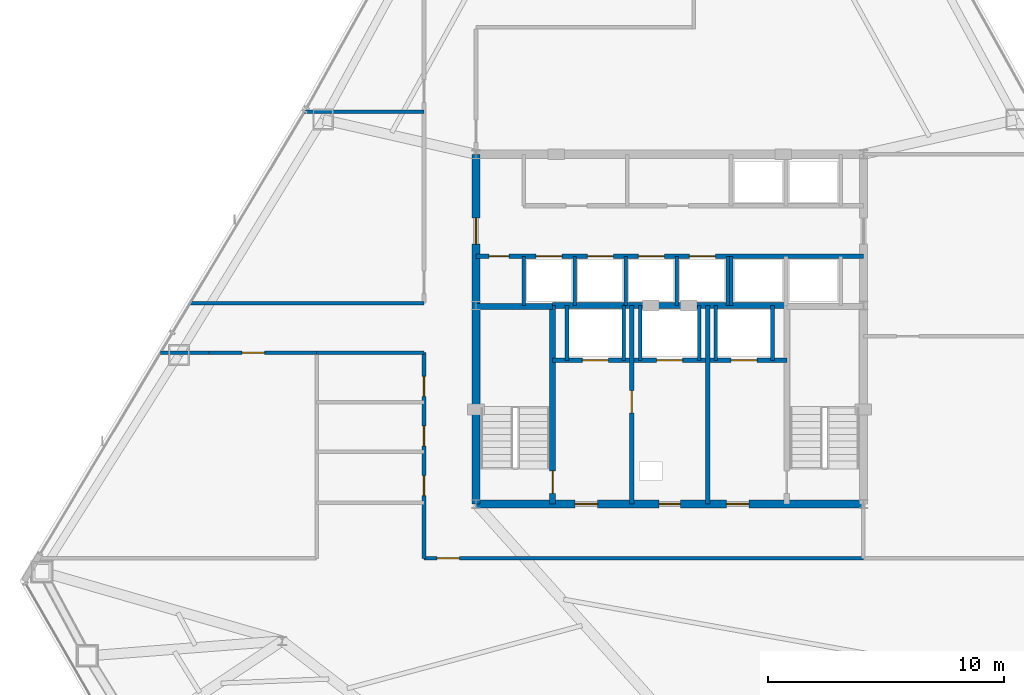
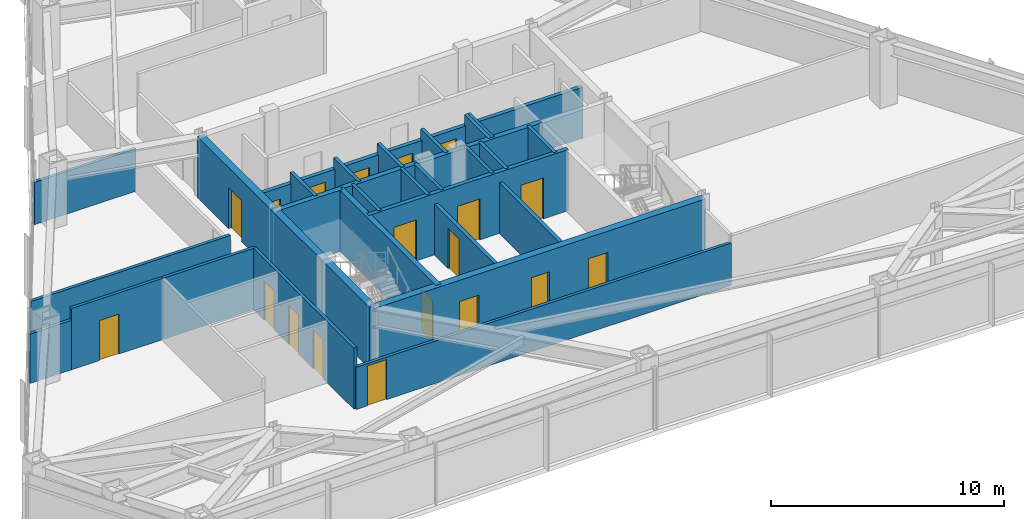
# One storey, part 10 of 13: 28 walls, 19 doors, 19 openings.
"""IFC4 building model written with IfcOpenShell, lengths in metres."""

import ifcopenshell
import ifcopenshell.guid

model = None  # the IFC model being written
_history = None  # IfcOwnerHistory: only IFC2X3 demands one
_inside = {}  # id of a spatial element -> (the spatial element, [elements in it])
_under = {}  # id of a project, library or spatial element -> (it, [spatial elements below it])
_declared = {}  # id of a project -> (the project, [libraries it declares])
_typed = {}  # id of a type object -> (the type object, [elements of that type])
_made_of = {}  # id of a material, layer set ... -> (it, [elements and type objects made of it])


def new_model(schema):
    """Start an empty IFC model of exactly this schema.

    Asked for "IFC4X3", IfcOpenShell would pick the latest addendum, in which some entities
    have other attributes; the version numbers below select the first issue.
    IFC2X3 requires an IfcOwnerHistory on every rooted entity: one is made here for all.
    """
    global model, _history
    if schema == "IFC4X3":
        model = ifcopenshell.file(schema_version=(4, 3, 0, 0))
    else:
        model = ifcopenshell.file(schema=schema)
    _inside.clear()
    _under.clear()
    _declared.clear()
    _typed.clear()
    _made_of.clear()
    _history = None
    if model.schema == "IFC2X3":
        org = make("IfcOrganization", Name="unknown")
        user = make(
            "IfcPersonAndOrganization",
            ThePerson=make("IfcPerson", FamilyName="unknown"),
            TheOrganization=org,
        )
        app = make(
            "IfcApplication",
            ApplicationDeveloper=org,
            Version="unknown",
            ApplicationFullName="unknown",
            ApplicationIdentifier="unknown",
        )
        _history = make(
            "IfcOwnerHistory",
            OwningUser=user,
            OwningApplication=app,
            ChangeAction="ADDED",
            CreationDate=0,
        )
    return model


def make(cls, **values):
    """One entity of the class cls with the attributes given. An attribute that is None is left unset."""
    return model.create_entity(
        cls, **{name: value for name, value in values.items() if value is not None}
    )


def rooted(cls, **values):
    """An entity with a GlobalId (a new one), such as an element, a storey or a relation."""
    return make(cls, GlobalId=ifcopenshell.guid.new(), OwnerHistory=_history, **values)


def si_unit(unit_type, name, prefix=None):
    """IfcSIUnit, for example si_unit("LENGTHUNIT", "METRE", prefix="MILLI")."""
    return make("IfcSIUnit", UnitType=unit_type, Prefix=prefix, Name=name)


def assignment(units):
    """IfcUnitAssignment: the units of a project."""
    return None if units is None else make("IfcUnitAssignment", Units=units)


def point(xyz):
    """IfcCartesianPoint."""
    return None if xyz is None else make("IfcCartesianPoint", Coordinates=xyz)


def direction(xyz):
    """IfcDirection."""
    return None if xyz is None else make("IfcDirection", DirectionRatios=xyz)


def frame(location, z_axis=None, x_axis=None):
    """IfcAxis2Placement3D, a coordinate frame: its origin and axes. An axis left out is left unset."""
    return make(
        "IfcAxis2Placement3D",
        Location=point(location),
        Axis=direction(z_axis),
        RefDirection=direction(x_axis),
    )


def frame_2d(location, x_axis=None):
    """IfcAxis2Placement2D, a coordinate frame in the plane: its origin and x axis."""
    return make(
        "IfcAxis2Placement2D", Location=point(location), RefDirection=direction(x_axis)
    )


def origin():
    """The frame at (0, 0, 0) with its axes left unset."""
    return frame((0.0, 0.0, 0.0))


def place(relative_to, where):
    """IfcLocalPlacement: puts the frame where relative to a parent placement (None: the world)."""
    return make(
        "IfcLocalPlacement", PlacementRelTo=relative_to, RelativePlacement=where
    )


def context(
    kind, dimensions, precision=None, world=None, true_north=None, identifier=None
):
    """IfcGeometricRepresentationContext, for example the 3D "Model" context."""
    return make(
        "IfcGeometricRepresentationContext",
        ContextIdentifier=identifier,
        ContextType=kind,
        CoordinateSpaceDimension=dimensions,
        Precision=precision,
        WorldCoordinateSystem=world,
        TrueNorth=true_north,
    )


def subcontext(parent, identifier, kind, view, scale=None):
    """IfcGeometricRepresentationSubContext, for example "Body" below "Model"."""
    return make(
        "IfcGeometricRepresentationSubContext",
        ContextIdentifier=identifier,
        ContextType=kind,
        ParentContext=parent,
        TargetScale=scale,
        TargetView=view,
    )


def project(units=None, contexts=None):
    """IfcProject with its units and contexts."""
    return rooted(
        "IfcProject",
        Name="project",
        RepresentationContexts=contexts,
        UnitsInContext=assignment(units),
    )


def spatial(cls, under=None, at=None, **own):
    """A site, building, storey or space (cls), placed at a placement, below another one or the project."""
    s = rooted(cls, ObjectPlacement=at, **own)
    if under is not None:
        _under.setdefault(under.id(), (under, []))[1].append(s)
    return s


def profile(cls, at=None, kind="AREA", **sizes):
    """A parametric profile (cls). Its sizes go by their IFC names, for example OverallWidth=200.0."""
    return make(cls, ProfileType=kind, Position=at, **sizes)


def rectangle(**sizes):
    """IfcRectangleProfileDef."""
    return profile("IfcRectangleProfileDef", **sizes)


def extrude(swept, where, along, depth):
    """IfcExtrudedAreaSolid: the profile swept, set in the frame where, extruded along a direction by depth."""
    return make(
        "IfcExtrudedAreaSolid",
        SweptArea=swept,
        Position=where,
        ExtrudedDirection=direction(along),
        Depth=depth,
    )


def shape(context_of_items, identifier, shape_type, items):
    """IfcShapeRepresentation: the items that make up one representation, for example the "Body"."""
    return make(
        "IfcShapeRepresentation",
        ContextOfItems=context_of_items,
        RepresentationIdentifier=identifier,
        RepresentationType=shape_type,
        Items=items,
    )


def material(Name=None, Category=None):
    """IfcMaterial."""
    return make("IfcMaterial", Name=Name, Category=Category)


def layer(
    of_material, thickness, ventilated=None, Name=None, Category=None, Priority=None
):
    """IfcMaterialLayer: one layer of a wall or slab, of a material (None: an air gap)."""
    return make(
        "IfcMaterialLayer",
        Material=of_material,
        LayerThickness=thickness,
        IsVentilated=ventilated,
        Name=Name,
        Category=Category,
        Priority=Priority,
    )


def layer_set(layers, Name=None):
    """IfcMaterialLayerSet."""
    return make("IfcMaterialLayerSet", MaterialLayers=layers, LayerSetName=Name)


def made_of(thing, what):
    """Note that an element or type object is made of a material, layer set ...; save() writes the relation."""
    if what is not None:
        _made_of.setdefault(what.id(), (what, []))[1].append(thing)
    return thing


def type_object(cls, material=None, **own):
    """A type object (cls), such as IfcWallType, which elements share."""
    return made_of(rooted(cls, **own), material)


def element(
    cls,
    number,
    at=None,
    inside=None,
    cuts=None,
    type_object=None,
    material=None,
    context=None,
    identifier="Body",
    shape_type=None,
    held_by="IfcProductDefinitionShape",
    body=None,
    shapes=None,
    **own,
):
    """One element of the class cls, such as IfcWall. Its Tag is "e" and its number.

    at: its placement. inside: the storey or other place that contains it. cuts: it is an
    opening in that element (IfcRelVoidsElement). A single representation is given by context,
    identifier, shape_type and body (its items); several are given by shapes. held_by: the class
    of the entity that holds the representations. save() writes the other relations.
    """
    e = rooted(cls, Tag="e%d" % number, ObjectPlacement=at, **own)
    if body is not None:
        shapes = [shape(context, identifier, shape_type, body)]
    if shapes is not None:
        e.Representation = make(held_by, Representations=shapes)
    if inside is not None:
        _inside.setdefault(inside.id(), (inside, []))[1].append(e)
    if cuts is not None:
        rooted(
            "IfcRelVoidsElement", RelatingBuildingElement=cuts, RelatedOpeningElement=e
        )
    if type_object is not None:
        _typed.setdefault(type_object.id(), (type_object, []))[1].append(e)
    return made_of(e, material)


def fill(opening, filler):
    """IfcRelFillsElement: the door or window that sits in an opening."""
    return rooted(
        "IfcRelFillsElement",
        RelatingOpeningElement=opening,
        RelatedBuildingElement=filler,
    )


def aggregate(whole, parts):
    """IfcRelAggregates: a whole, such as a stair, and the parts it consists of."""
    return rooted("IfcRelAggregates", RelatingObject=whole, RelatedObjects=parts)


def save(model, path):
    """Write the relations noted so far, then the file.

    IfcRelAggregates (storeys below a building ...), IfcRelContainedInSpatialStructure (elements
    in a storey), IfcRelDefinesByType, IfcRelAssociatesMaterial and IfcRelDeclares: one each for
    every whole, place, type object, material and project.
    """
    for whole, parts in _under.values():
        aggregate(whole, parts)
    for where, things in _inside.values():
        rooted(
            "IfcRelContainedInSpatialStructure",
            RelatedElements=things,
            RelatingStructure=where,
        )
    for kind, things in _typed.values():
        rooted("IfcRelDefinesByType", RelatedObjects=things, RelatingType=kind)
    for what, things in _made_of.values():
        rooted("IfcRelAssociatesMaterial", RelatedObjects=things, RelatingMaterial=what)
    for by, libraries in _declared.values():
        rooted("IfcRelDeclares", RelatingContext=by, RelatedDefinitions=libraries)
    model.write(path)


model = new_model("IFC4")

# Units and contexts
model_context = context("Model", 3, precision=1e-05, world=origin(), true_north=direction((0.0, 1.0)))
body_context = subcontext(model_context, "Body", "Model", "MODEL_VIEW")
ifc_project = project(units=[si_unit("LENGTHUNIT", "METRE"), si_unit("AREAUNIT", "SQUARE_METRE"), si_unit("VOLUMEUNIT", "CUBIC_METRE"), si_unit("PLANEANGLEUNIT", "RADIAN"), si_unit("MASSUNIT", "GRAM", prefix="KILO")], contexts=[model_context])

# Site, building, storey
site_placement = place(None, origin())
site = spatial("IfcSite", under=ifc_project, at=site_placement, CompositionType="ELEMENT")
building_placement = place(site_placement, origin())
building = spatial("IfcBuilding", under=site, at=building_placement, Name="Varakhsha Concourse Tower", CompositionType="ELEMENT")
storey_placement = place(building_placement, frame((0.0, 0.0, 147.050048828125)))
storey = spatial("IfcBuildingStorey", under=building, at=storey_placement, Name="L42", CompositionType="ELEMENT", Elevation=147.050048828125)

# Wall, openings, doors
ifc_material_1 = material(Name="Concrete fc 65 MPa", Category="concrete")
ifc_layer_1 = layer(ifc_material_1, 0.35009765625, Name="WL-CORE-350")
ifc_layer_set_1 = layer_set([ifc_layer_1], Name="Concrete fc 65 MPa")
wall_type_1 = type_object("IfcWallType", Name="WL-CORE-350", PredefinedType="SHEAR", material=ifc_layer_set_1)
wall_1_placement = place(storey_placement, frame((31.800048828125, 16.39990234375, 0.0), z_axis=(0.0, 0.0, 1.0), x_axis=(1.0, 0.0, 0.0)))
wall_1 = element("IfcWall", 1, at=wall_1_placement, inside=storey, type_object=wall_type_1, Name="L42 Wall CWALL-S-L42", PredefinedType="SHEAR", context=body_context, shape_type="SweptSolid", body=[
    extrude(rectangle(XDim=16.39990234375, YDim=0.35009765625, at=frame_2d((8.199951171875, 0.0))), origin(), (0.0, 0.0, 1.0), 3.2099609375),
])
opening_1_placement = place(wall_1_placement, frame((7.75, 0.0, 0.0)))
opening_1 = element("IfcOpeningElement", 2, at=opening_1_placement, cuts=wall_1, Name="Opening DF-06", PredefinedType="OPENING", context=body_context, shape_type="SweptSolid", body=[
    extrude(rectangle(XDim=0.89990234375, YDim=2.10009765625, at=frame_2d((0.449951171875, 1.050048828125))), frame((0.0, 0.18505859375, 0.0), z_axis=(0.0, -1.0, 0.0), x_axis=(1.0, 0.0, 0.0)), (0.0, 0.0, 1.0), 0.3701171875),
])
opening_2_placement = place(wall_1_placement, frame((4.199951171875, 0.0, 0.0)))
opening_2 = element("IfcOpeningElement", 3, at=opening_2_placement, cuts=wall_1, Name="Opening DF-05", PredefinedType="OPENING", context=body_context, shape_type="SweptSolid", body=[
    extrude(rectangle(XDim=0.949951171875, YDim=2.10009765625, at=frame_2d((0.47509765625, 1.050048828125))), frame((0.0, 0.18505859375, 0.0), z_axis=(0.0, -1.0, 0.0), x_axis=(1.0, 0.0, 0.0)), (0.0, 0.0, 1.0), 0.3701171875),
])
opening_3_placement = place(wall_1_placement, frame((10.60009765625, 0.0, 0.0)))
opening_3 = element("IfcOpeningElement", 4, at=opening_3_placement, cuts=wall_1, Name="Opening DF-05", PredefinedType="OPENING", context=body_context, shape_type="SweptSolid", body=[
    extrude(rectangle(XDim=0.949951171875, YDim=2.10009765625, at=frame_2d((0.47509765625, 1.050048828125))), frame((0.0, 0.18505859375, 0.0), z_axis=(0.0, -1.0, 0.0), x_axis=(1.0, 0.0, 0.0)), (0.0, 0.0, 1.0), 0.3701171875),
])
ifc_material_2 = material(Name="Hollow Galvanised Steel Fire Door Assembly", Category="steel")
door_type_1 = type_object("IfcDoorType", Name="DR-FD60-900", OperationType="NOTDEFINED", PredefinedType="DOOR", material=ifc_material_2)
door_1_placement = place(opening_1_placement, origin())
door_1 = element("IfcDoor", 5, at=door_1_placement, inside=storey, type_object=door_type_1, Name="L42 Service Riser Vestibule Door", OperationType="SINGLE_SWING_LEFT", OverallHeight=2.10009765625, OverallWidth=0.89990234375, PredefinedType="DOOR", context=body_context, shape_type="SweptSolid", body=[
    extrude(rectangle(XDim=0.89990234375, YDim=2.10009765625, at=frame_2d((0.449951171875, 1.050048828125))), frame((0.0, 0.02490234375, 0.0), z_axis=(0.0, -1.0, 0.0), x_axis=(1.0, 0.0, 0.0)), (0.0, 0.0, 1.0), 0.050048828125),
])
fill(opening_1, door_1)
door_type_2 = type_object("IfcDoorType", Name="DR-FD60-950", OperationType="NOTDEFINED", PredefinedType="DOOR", material=ifc_material_2)
door_2_placement = place(opening_2_placement, origin())
door_2 = element("IfcDoor", 6, at=door_2_placement, inside=storey, type_object=door_type_2, Name="L42 Firefighting Lobby West Door", OperationType="SINGLE_SWING_RIGHT", OverallHeight=2.10009765625, OverallWidth=0.949951171875, PredefinedType="DOOR", context=body_context, shape_type="SweptSolid", body=[
    extrude(rectangle(XDim=0.949951171875, YDim=2.10009765625, at=frame_2d((0.47509765625, 1.050048828125))), frame((0.0, 0.02490234375, 0.0), z_axis=(0.0, -1.0, 0.0), x_axis=(1.0, 0.0, 0.0)), (0.0, 0.0, 1.0), 0.050048828125),
])
fill(opening_2, door_2)
door_3_placement = place(opening_3_placement, origin())
door_3 = element("IfcDoor", 7, at=door_3_placement, inside=storey, type_object=door_type_2, Name="L42 Firefighting Lobby East Door", OperationType="SINGLE_SWING_LEFT", OverallHeight=2.10009765625, OverallWidth=0.949951171875, PredefinedType="DOOR", context=body_context, shape_type="SweptSolid", body=[
    extrude(rectangle(XDim=0.949951171875, YDim=2.10009765625, at=frame_2d((0.47509765625, 1.050048828125))), frame((0.0, 0.02490234375, 0.0), z_axis=(0.0, -1.0, 0.0), x_axis=(1.0, 0.0, 0.0)), (0.0, 0.0, 1.0), 0.050048828125),
])
fill(opening_3, door_3)

# Wall, opening, door
wall_2_placement = place(storey_placement, frame((31.800048828125, 16.39990234375, 0.0), z_axis=(0.0, 0.0, 1.0), x_axis=(0.0, 1.0, 0.0)))
wall_2 = element("IfcWall", 8, at=wall_2_placement, inside=storey, type_object=wall_type_1, Name="L42 Wall CWALL-W-L42", PredefinedType="SHEAR", context=body_context, shape_type="SweptSolid", body=[
    extrude(rectangle(XDim=14.800048828125, YDim=0.35009765625, at=frame_2d((7.39990234375, 0.0))), origin(), (0.0, 0.0, 1.0), 3.2099609375),
])
opening_4_placement = place(wall_2_placement, frame((11.0, 0.0, 0.0)))
opening_4 = element("IfcOpeningElement", 9, at=opening_4_placement, cuts=wall_2, Name="Opening DL-01", PredefinedType="OPENING", context=body_context, shape_type="SweptSolid", body=[
    extrude(rectangle(XDim=1.10009765625, YDim=2.14990234375, at=frame_2d((0.550048828125, 1.074951171875))), frame((0.0, 0.18505859375, 0.0), z_axis=(0.0, -1.0, 0.0), x_axis=(1.0, 0.0, 0.0)), (0.0, 0.0, 1.0), 0.3701171875),
])
ifc_material_3 = material(Name="Anodised Bronze Architectural Aluminium AA 6063-T6", Category="aluminium")
door_type_3 = type_object("IfcDoorType", Name="DR-LOB-1100", OperationType="NOTDEFINED", PredefinedType="DOOR", material=ifc_material_3)
door_4_placement = place(opening_4_placement, origin())
door_4 = element("IfcDoor", 10, at=door_4_placement, inside=storey, type_object=door_type_3, Name="L42 Lift Lobby West Concourse Door", OperationType="SINGLE_SWING_LEFT", OverallHeight=2.14990234375, OverallWidth=1.10009765625, PredefinedType="DOOR", context=body_context, shape_type="SweptSolid", body=[
    extrude(rectangle(XDim=1.10009765625, YDim=2.14990234375, at=frame_2d((0.550048828125, 1.074951171875))), frame((0.0, 0.02490234375, 0.0), z_axis=(0.0, -1.0, 0.0), x_axis=(1.0, 0.0, 0.0)), (0.0, 0.0, 1.0), 0.050048828125),
])
fill(opening_4, door_4)

ifc_material_4 = material(Name="Fire-Rated Type X Gypsum Partition Assembly", Category="gypsum")
ifc_layer_2 = layer(ifc_material_4, 0.179931640625, Name="WL-FFLOB-180")
ifc_layer_set_2 = layer_set([ifc_layer_2], Name="Fire-Rated Type X Gypsum Partition Assembly")
wall_type_2 = type_object("IfcWallType", Name="WL-FFLOB-180", PredefinedType="PARTITIONING", material=ifc_layer_set_2)
wall_3_placement = place(storey_placement, frame((38.389892578125, 16.39990234375, 0.0), z_axis=(0.0, 0.0, 1.0), x_axis=(0.0, 1.0, 0.0)))
wall_3 = element("IfcWall", 11, at=wall_3_placement, inside=storey, type_object=wall_type_2, Name="L42 Wall FFW-1E-L42", PredefinedType="PARTITIONING", context=body_context, shape_type="SweptSolid", body=[
    extrude(rectangle(XDim=8.400146484375, YDim=0.179931640625, at=frame_2d((4.2001953125, 0.0))), origin(), (0.0, 0.0, 1.0), 2.660888671875),
])
opening_5_placement = place(wall_3_placement, frame((3.85009765625, 0.0, 0.0)))
opening_5 = element("IfcOpeningElement", 12, at=opening_5_placement, cuts=wall_3, Name="Opening DF-05", PredefinedType="OPENING", context=body_context, shape_type="SweptSolid", body=[
    extrude(rectangle(XDim=0.949951171875, YDim=2.10009765625, at=frame_2d((0.47509765625, 1.050048828125))), frame((0.0, 0.099853515625, 0.0), z_axis=(0.0, -1.0, 0.0), x_axis=(1.0, 0.0, 0.0)), (0.0, 0.0, 1.0), 0.199951171875),
])
door_5_placement = place(opening_5_placement, origin())
door_5 = element("IfcDoor", 13, at=door_5_placement, inside=storey, type_object=door_type_2, Name="L42 Service Vestibule Door", OperationType="SINGLE_SWING_RIGHT", OverallHeight=2.10009765625, OverallWidth=0.949951171875, PredefinedType="DOOR", context=body_context, shape_type="SweptSolid", body=[
    extrude(rectangle(XDim=0.949951171875, YDim=2.10009765625, at=frame_2d((0.47509765625, 1.050048828125))), frame((0.0, 0.02490234375, 0.0), z_axis=(0.0, -1.0, 0.0), x_axis=(1.0, 0.0, 0.0)), (0.0, 0.0, 1.0), 0.050048828125),
])
fill(opening_5, door_5)

# Wall
wall_4_placement = place(storey_placement, frame((41.610107421875, 16.39990234375, 0.0), z_axis=(0.0, 0.0, 1.0), x_axis=(0.0, 1.0, 0.0)))
element("IfcWall", 14, at=wall_4_placement, inside=storey, type_object=wall_type_2, Name="L42 Wall FFW-2W-L42", PredefinedType="PARTITIONING", context=body_context, shape_type="SweptSolid", body=[
    extrude(rectangle(XDim=8.400146484375, YDim=0.179931640625, at=frame_2d((4.2001953125, 0.0))), origin(), (0.0, 0.0, 1.0), 2.660888671875),
])

# Wall, opening, door
ifc_layer_3 = layer(ifc_material_4, 0.14990234375, Name="WL-PART-150")
ifc_layer_set_3 = layer_set([ifc_layer_3], Name="Fire-Rated Type X Gypsum Partition Assembly")
wall_type_3 = type_object("IfcWallType", Name="WL-PART-150", PredefinedType="PARTITIONING", material=ifc_layer_set_3)
wall_5_placement = place(storey_placement, frame((29.60009765625, 14.10009765625, 0.0), z_axis=(0.0, 0.0, 1.0), x_axis=(1.0, 0.0, 0.0)))
wall_5 = element("IfcWall", 15, at=wall_5_placement, inside=storey, type_object=wall_type_3, Name="L42 Wall CRW-S-L42", PredefinedType="PARTITIONING", context=body_context, shape_type="SweptSolid", body=[
    extrude(rectangle(XDim=18.599853515625, YDim=0.14990234375, at=frame_2d((9.2998046875, 0.0))), origin(), (0.0, 0.0, 1.0), 2.224853515625),
])
opening_6_placement = place(wall_5_placement, frame((0.550048828125, 0.0, 0.0)))
opening_6 = element("IfcOpeningElement", 16, at=opening_6_placement, cuts=wall_5, Name="Opening DF-05", PredefinedType="OPENING", context=body_context, shape_type="SweptSolid", body=[
    extrude(rectangle(XDim=0.949951171875, YDim=2.10009765625, at=frame_2d((0.47509765625, 1.050048828125))), frame((0.0, 0.0849609375, 0.0), z_axis=(0.0, -1.0, 0.0), x_axis=(1.0, 0.0, 0.0)), (0.0, 0.0, 1.0), 0.169921875),
])
door_6_placement = place(opening_6_placement, origin())
door_6 = element("IfcDoor", 17, at=door_6_placement, inside=storey, type_object=door_type_2, Name="L42 Portfolio Risk Office L42-S1 Door", OperationType="SINGLE_SWING_LEFT", OverallHeight=2.10009765625, OverallWidth=0.949951171875, PredefinedType="DOOR", context=body_context, shape_type="SweptSolid", body=[
    extrude(rectangle(XDim=0.949951171875, YDim=2.10009765625, at=frame_2d((0.47509765625, 1.050048828125))), frame((0.0, 0.02490234375, 0.0), z_axis=(0.0, -1.0, 0.0), x_axis=(1.0, 0.0, 0.0)), (0.0, 0.0, 1.0), 0.050048828125),
])
fill(opening_6, door_6)

# Wall, openings, doors
wall_6_placement = place(storey_placement, frame((29.60009765625, 14.10009765625, 0.0), z_axis=(0.0, 0.0, 1.0), x_axis=(0.0, 1.0, 0.0)))
wall_6 = element("IfcWall", 18, at=wall_6_placement, inside=storey, type_object=wall_type_3, Name="L42 Wall CRW-WS-L42", PredefinedType="PARTITIONING", context=body_context, shape_type="SweptSolid", body=[
    extrude(rectangle(XDim=8.699951171875, YDim=0.14990234375, at=frame_2d((4.35009765625, 0.0))), origin(), (0.0, 0.0, 1.0), 3.2099609375),
])
opening_7_placement = place(wall_6_placement, frame((2.64990234375, 0.0, 0.0)))
opening_7 = element("IfcOpeningElement", 19, at=opening_7_placement, cuts=wall_6, Name="Opening DF-07", PredefinedType="OPENING", context=body_context, shape_type="SweptSolid", body=[
    extrude(rectangle(XDim=0.85009765625, YDim=2.050048828125, at=frame_2d((0.425048828125, 1.02490234375))), frame((0.0, 0.0849609375, 0.0), z_axis=(0.0, -1.0, 0.0), x_axis=(1.0, 0.0, 0.0)), (0.0, 0.0, 1.0), 0.169921875),
])
opening_8_placement = place(wall_6_placement, frame((4.75, 0.0, 0.0)))
opening_8 = element("IfcOpeningElement", 20, at=opening_8_placement, cuts=wall_6, Name="Opening DF-07", PredefinedType="OPENING", context=body_context, shape_type="SweptSolid", body=[
    extrude(rectangle(XDim=0.85009765625, YDim=2.050048828125, at=frame_2d((0.425048828125, 1.02490234375))), frame((0.0, 0.0849609375, 0.0), z_axis=(0.0, -1.0, 0.0), x_axis=(1.0, 0.0, 0.0)), (0.0, 0.0, 1.0), 0.169921875),
])
opening_9_placement = place(wall_6_placement, frame((6.85009765625, 0.0, 0.0)))
opening_9 = element("IfcOpeningElement", 21, at=opening_9_placement, cuts=wall_6, Name="Opening DF-07", PredefinedType="OPENING", context=body_context, shape_type="SweptSolid", body=[
    extrude(rectangle(XDim=0.85009765625, YDim=2.050048828125, at=frame_2d((0.425048828125, 1.02490234375))), frame((0.0, 0.0849609375, 0.0), z_axis=(0.0, -1.0, 0.0), x_axis=(1.0, 0.0, 0.0)), (0.0, 0.0, 1.0), 0.169921875),
])
door_type_4 = type_object("IfcDoorType", Name="DR-FD60-850", OperationType="NOTDEFINED", PredefinedType="DOOR", material=ifc_material_2)
door_7_placement = place(opening_7_placement, origin())
door_7 = element("IfcDoor", 22, at=door_7_placement, inside=storey, type_object=door_type_4, Name="L42 Men Restroom WC Door", OperationType="SINGLE_SWING_LEFT", OverallHeight=2.050048828125, OverallWidth=0.85009765625, PredefinedType="DOOR", context=body_context, shape_type="SweptSolid", body=[
    extrude(rectangle(XDim=0.85009765625, YDim=2.050048828125, at=frame_2d((0.425048828125, 1.02490234375))), frame((0.0, 0.02490234375, 0.0), z_axis=(0.0, -1.0, 0.0), x_axis=(1.0, 0.0, 0.0)), (0.0, 0.0, 1.0), 0.050048828125),
])
fill(opening_7, door_7)
door_8_placement = place(opening_8_placement, origin())
door_8 = element("IfcDoor", 23, at=door_8_placement, inside=storey, type_object=door_type_4, Name="L42 Women Restroom WC Door", OperationType="SINGLE_SWING_LEFT", OverallHeight=2.050048828125, OverallWidth=0.85009765625, PredefinedType="DOOR", context=body_context, shape_type="SweptSolid", body=[
    extrude(rectangle(XDim=0.85009765625, YDim=2.050048828125, at=frame_2d((0.425048828125, 1.02490234375))), frame((0.0, 0.02490234375, 0.0), z_axis=(0.0, -1.0, 0.0), x_axis=(1.0, 0.0, 0.0)), (0.0, 0.0, 1.0), 0.050048828125),
])
fill(opening_8, door_8)
door_9_placement = place(opening_9_placement, origin())
door_9 = element("IfcDoor", 24, at=door_9_placement, inside=storey, type_object=door_type_4, Name="L42 Accessible WC Door", OperationType="SINGLE_SWING_LEFT", OverallHeight=2.050048828125, OverallWidth=0.85009765625, PredefinedType="DOOR", context=body_context, shape_type="SweptSolid", body=[
    extrude(rectangle(XDim=0.85009765625, YDim=2.050048828125, at=frame_2d((0.425048828125, 1.02490234375))), frame((0.0, 0.02490234375, 0.0), z_axis=(0.0, -1.0, 0.0), x_axis=(1.0, 0.0, 0.0)), (0.0, 0.0, 1.0), 0.050048828125),
])
fill(opening_9, door_9)

# Walls
wall_7_placement = place(storey_placement, frame((18.448486328125, 22.800048828125, 0.0), z_axis=(0.0, 0.0, 1.0), x_axis=(1.0, 0.0, 0.0)))
element("IfcWall", 25, at=wall_7_placement, inside=storey, type_object=wall_type_3, Name="L42 Wall CRW-WWS-W-L42", PredefinedType="PARTITIONING", context=body_context, shape_type="SweptSolid", body=[
    extrude(rectangle(XDim=2.051513671875, YDim=0.14990234375, at=frame_2d((1.02587890625, 0.0))), origin(), (0.0, 0.0, 1.0), 2.5888671875),
])
wall_8_placement = place(storey_placement, frame((25.050048828125, 22.800048828125, 0.0), z_axis=(0.0, 0.0, 1.0), x_axis=(1.0, 0.0, 0.0)))
element("IfcWall", 26, at=wall_8_placement, inside=storey, type_object=wall_type_3, Name="L42 Wall CRW-WWS-E-L42", PredefinedType="PARTITIONING", context=body_context, shape_type="SweptSolid", body=[
    extrude(rectangle(XDim=4.550048828125, YDim=0.14990234375, at=frame_2d((2.27490234375, 0.0))), origin(), (0.0, 0.0, 1.0), 3.2099609375),
])
wall_9_placement = place(storey_placement, frame((19.703369140625, 24.89990234375, 0.0), z_axis=(0.0, 0.0, 1.0), x_axis=(1.0, 0.0, 0.0)))
element("IfcWall", 27, at=wall_9_placement, inside=storey, type_object=wall_type_3, Name="L42 Wall CRW-WWN-L42", PredefinedType="PARTITIONING", context=body_context, shape_type="SweptSolid", body=[
    extrude(rectangle(XDim=9.896728515625, YDim=0.14990234375, at=frame_2d((4.9482421875, 0.0))), origin(), (0.0, 0.0, 1.0), 2.5888671875),
])

# Wall, opening, door
wall_10_placement = place(storey_placement, frame((20.5, 22.800048828125, 0.0), z_axis=(0.0, 0.0, 1.0), x_axis=(1.0, 0.0, 0.0)))
wall_10 = element("IfcWall", 28, at=wall_10_placement, inside=storey, type_object=wall_type_3, Name="L42 Wall CRW-WWS-DOOR-L42", PredefinedType="PARTITIONING", context=body_context, shape_type="SweptSolid", body=[
    extrude(rectangle(XDim=4.550048828125, YDim=0.14990234375, at=frame_2d((2.27490234375, 0.0))), origin(), (0.0, 0.0, 1.0), 3.2099609375),
])
opening_10_placement = place(wall_10_placement, frame((1.39990234375, 0.0, 0.0)))
opening_10 = element("IfcOpeningElement", 29, at=opening_10_placement, cuts=wall_10, Name="Opening DF-05", PredefinedType="OPENING", context=body_context, shape_type="SweptSolid", body=[
    extrude(rectangle(XDim=0.949951171875, YDim=2.10009765625, at=frame_2d((0.47509765625, 1.050048828125))), frame((0.0, 0.0849609375, 0.0), z_axis=(0.0, -1.0, 0.0), x_axis=(1.0, 0.0, 0.0)), (0.0, 0.0, 1.0), 0.169921875),
])
door_10_placement = place(opening_10_placement, origin())
door_10 = element("IfcDoor", 30, at=door_10_placement, inside=storey, type_object=door_type_2, Name="L42 Institutional Client Office L42-SW Door", OperationType="SINGLE_SWING_LEFT", OverallHeight=2.10009765625, OverallWidth=0.949951171875, PredefinedType="DOOR", context=body_context, shape_type="SweptSolid", body=[
    extrude(rectangle(XDim=0.949951171875, YDim=2.10009765625, at=frame_2d((0.47509765625, 1.050048828125))), frame((0.0, 0.02490234375, 0.0), z_axis=(0.0, -1.0, 0.0), x_axis=(1.0, 0.0, 0.0)), (0.0, 0.0, 1.0), 0.050048828125),
])
fill(opening_10, door_10)

# Wall
wall_11_placement = place(storey_placement, frame((24.544189453125, 33.0, 0.0), z_axis=(0.0, 0.0, 1.0), x_axis=(1.0, 0.0, 0.0)))
element("IfcWall", 31, at=wall_11_placement, inside=storey, type_object=wall_type_3, Name="L42 Wall ODIV-W1-L42", PredefinedType="PARTITIONING", context=body_context, shape_type="SweptSolid", body=[
    extrude(rectangle(XDim=5.055908203125, YDim=0.14990234375, at=frame_2d((2.52783203125, 0.0))), origin(), (0.0, 0.0, 1.0), 2.224853515625),
])

# Wall, openings, doors
ifc_layer_4 = layer(ifc_material_4, 0.199951171875, Name="WL-SHAFT-220")
ifc_layer_set_4 = layer_set([ifc_layer_4], Name="Fire-Rated Type X Gypsum Partition Assembly")
wall_type_4 = type_object("IfcWallType", Name="WL-SHAFT-220", PredefinedType="SOLIDWALL", material=ifc_layer_set_4)
wall_12_placement = place(storey_placement, frame((35.044921875, 22.47998046875, 0.0), z_axis=(0.0, 0.0, 1.0), x_axis=(1.0, 0.0, 0.0)))
wall_12 = element("IfcWall", 32, at=wall_12_placement, inside=storey, type_object=wall_type_4, Name="L42 Wall FFW-NH-L42", PredefinedType="SOLIDWALL", context=body_context, shape_type="SweptSolid", body=[
    extrude(rectangle(XDim=9.91015625, YDim=0.199951171875, at=frame_2d((4.955078125, 0.0))), origin(), (0.0, 0.0, 1.0), 3.2099609375),
])
opening_11_placement = place(wall_12_placement, frame((1.2548828125, 0.0, 0.0)))
opening_11 = element("IfcOpeningElement", 33, at=opening_11_placement, cuts=wall_12, Name="Opening LD-FFL-1", PredefinedType="OPENING", context=body_context, shape_type="SweptSolid", body=[
    extrude(rectangle(XDim=1.10009765625, YDim=2.14990234375, at=frame_2d((0.550048828125, 1.074951171875))), frame((0.0, 0.10986328125, 0.0), z_axis=(0.0, -1.0, 0.0), x_axis=(1.0, 0.0, 0.0)), (0.0, 0.0, 1.0), 0.219970703125),
])
opening_12_placement = place(wall_12_placement, frame((7.554931640625, 0.0, 0.0)))
opening_12 = element("IfcOpeningElement", 34, at=opening_12_placement, cuts=wall_12, Name="Opening LD-FFL-2", PredefinedType="OPENING", context=body_context, shape_type="SweptSolid", body=[
    extrude(rectangle(XDim=1.10009765625, YDim=2.14990234375, at=frame_2d((0.550048828125, 1.074951171875))), frame((0.0, 0.10986328125, 0.0), z_axis=(0.0, -1.0, 0.0), x_axis=(1.0, 0.0, 0.0)), (0.0, 0.0, 1.0), 0.219970703125),
])
opening_13_placement = place(wall_12_placement, frame((4.405029296875, 0.0, 0.0)))
opening_13 = element("IfcOpeningElement", 35, at=opening_13_placement, cuts=wall_12, Name="Opening LD-SVL-1", PredefinedType="OPENING", context=body_context, shape_type="SweptSolid", body=[
    extrude(rectangle(XDim=1.10009765625, YDim=2.14990234375, at=frame_2d((0.550048828125, 1.074951171875))), frame((0.0, 0.10986328125, 0.0), z_axis=(0.0, -1.0, 0.0), x_axis=(1.0, 0.0, 0.0)), (0.0, 0.0, 1.0), 0.219970703125),
])
ifc_material_5 = material(Name="Brushed Austenitic Stainless Steel AISI 316", Category="steel")
door_type_5 = type_object("IfcDoorType", Name="DR-LD-1100", OperationType="DOUBLE_DOOR_SLIDING", PredefinedType="DOOR", material=ifc_material_5)
door_11_placement = place(opening_11_placement, origin())
door_11 = element("IfcDoor", 36, at=door_11_placement, inside=storey, type_object=door_type_5, Name="Lift Landing Door FFL-1 L42", OperationType="DOUBLE_DOOR_SLIDING", OverallHeight=2.14990234375, OverallWidth=1.10009765625, PredefinedType="DOOR", context=body_context, shape_type="SweptSolid", body=[
    extrude(rectangle(XDim=1.10009765625, YDim=2.14990234375, at=frame_2d((0.550048828125, 1.074951171875))), frame((0.0, 0.02490234375, 0.0), z_axis=(0.0, -1.0, 0.0), x_axis=(1.0, 0.0, 0.0)), (0.0, 0.0, 1.0), 0.050048828125),
])
fill(opening_11, door_11)
door_12_placement = place(opening_12_placement, origin())
door_12 = element("IfcDoor", 37, at=door_12_placement, inside=storey, type_object=door_type_5, Name="Lift Landing Door FFL-2 L42", OperationType="DOUBLE_DOOR_SLIDING", OverallHeight=2.14990234375, OverallWidth=1.10009765625, PredefinedType="DOOR", context=body_context, shape_type="SweptSolid", body=[
    extrude(rectangle(XDim=1.10009765625, YDim=2.14990234375, at=frame_2d((0.550048828125, 1.074951171875))), frame((0.0, 0.02490234375, 0.0), z_axis=(0.0, -1.0, 0.0), x_axis=(1.0, 0.0, 0.0)), (0.0, 0.0, 1.0), 0.050048828125),
])
fill(opening_12, door_12)
door_13_placement = place(opening_13_placement, origin())
door_13 = element("IfcDoor", 38, at=door_13_placement, inside=storey, type_object=door_type_5, Name="Lift Landing Door SVL-1 L42", OperationType="DOUBLE_DOOR_SLIDING", OverallHeight=2.14990234375, OverallWidth=1.10009765625, PredefinedType="DOOR", context=body_context, shape_type="SweptSolid", body=[
    extrude(rectangle(XDim=1.10009765625, YDim=2.14990234375, at=frame_2d((0.550048828125, 1.074951171875))), frame((0.0, 0.02490234375, 0.0), z_axis=(0.0, -1.0, 0.0), x_axis=(1.0, 0.0, 0.0)), (0.0, 0.0, 1.0), 0.050048828125),
])
fill(opening_13, door_13)

# Walls
for number, where, z_axis, x_axis, name in (
    (39, (35.64990234375, 22.47998046875, 0.0), (0.0, 0.0, 1.0), (0.0, 1.0, 0.0), "L42 Wall SHW-FFL-1-W-L42"),
    (40, (38.050048828125, 22.47998046875, 0.0), (0.0, 0.0, 1.0), (0.0, 1.0, 0.0), "L42 Wall SHW-FFL-1-E-L42"),
    (41, (41.949951171875, 22.47998046875, 0.0), (0.0, 0.0, 1.0), (0.0, 1.0, 0.0), "L42 Wall SHW-FFL-2-W-L42"),
    (42, (44.35009765625, 22.47998046875, 0.0), (0.0, 0.0, 1.0), (0.0, 1.0, 0.0), "L42 Wall SHW-FFL-2-E-L42"),
    (43, (38.75, 22.47998046875, 0.0), (0.0, 0.0, 1.0), (0.0, 1.0, 0.0), "L42 Wall SHW-SVL-1-W-L42"),
    (44, (41.25, 22.47998046875, 0.0), (0.0, 0.0, 1.0), (0.0, 1.0, 0.0), "L42 Wall SHW-SVL-1-E-L42"),
):
    element("IfcWall", number, at=place(storey_placement, frame(where, z_axis=z_axis, x_axis=x_axis)), inside=storey, type_object=wall_type_4, Name=name, PredefinedType="SOLIDWALL", context=body_context, shape_type="SweptSolid", body=[
        extrude(rectangle(XDim=2.320068359375, YDim=0.159912109375, at=frame_2d((1.16015625, 0.0))), origin(), (0.0, 0.0, 1.0), 3.2099609375),
    ])

# Wall, openings, doors
wall_13_placement = place(storey_placement, frame((31.800048828125, 26.8798828125, 0.0), z_axis=(0.0, 0.0, 1.0), x_axis=(1.0, 0.0, 0.0)))
wall_13 = element("IfcWall", 45, at=wall_13_placement, inside=storey, type_object=wall_type_4, Name="L42 Wall PLW-S-L42", PredefinedType="SOLIDWALL", context=body_context, shape_type="SweptSolid", body=[
    extrude(rectangle(XDim=16.39990234375, YDim=0.199951171875, at=frame_2d((8.199951171875, 0.0))), origin(), (0.0, 0.0, 1.0), 2.660888671875),
])
opening_14_placement = place(wall_13_placement, frame((0.550048828125, 0.0, 0.0)))
opening_14 = element("IfcOpeningElement", 46, at=opening_14_placement, cuts=wall_13, Name="Opening DF-07", PredefinedType="OPENING", context=body_context, shape_type="SweptSolid", body=[
    extrude(rectangle(XDim=0.85009765625, YDim=2.050048828125, at=frame_2d((0.425048828125, 1.02490234375))), frame((0.0, 0.10986328125, 0.0), z_axis=(0.0, -1.0, 0.0), x_axis=(1.0, 0.0, 0.0)), (0.0, 0.0, 1.0), 0.219970703125),
])
opening_15_placement = place(wall_13_placement, frame((2.550048828125, 0.0, 0.0)))
opening_15 = element("IfcOpeningElement", 47, at=opening_15_placement, cuts=wall_13, Name="Opening LD-LF-P05", PredefinedType="OPENING", context=body_context, shape_type="SweptSolid", body=[
    extrude(rectangle(XDim=1.10009765625, YDim=2.14990234375, at=frame_2d((0.550048828125, 1.074951171875))), frame((0.0, 0.10986328125, 0.0), z_axis=(0.0, -1.0, 0.0), x_axis=(1.0, 0.0, 0.0)), (0.0, 0.0, 1.0), 0.219970703125),
])
opening_16_placement = place(wall_13_placement, frame((4.7099609375, 0.0, 0.0)))
opening_16 = element("IfcOpeningElement", 48, at=opening_16_placement, cuts=wall_13, Name="Opening LD-LF-P06", PredefinedType="OPENING", context=body_context, shape_type="SweptSolid", body=[
    extrude(rectangle(XDim=1.10009765625, YDim=2.14990234375, at=frame_2d((0.550048828125, 1.074951171875))), frame((0.0, 0.10986328125, 0.0), z_axis=(0.0, -1.0, 0.0), x_axis=(1.0, 0.0, 0.0)), (0.0, 0.0, 1.0), 0.219970703125),
])
opening_17_placement = place(wall_13_placement, frame((6.8701171875, 0.0, 0.0)))
opening_17 = element("IfcOpeningElement", 49, at=opening_17_placement, cuts=wall_13, Name="Opening LD-LF-P07", PredefinedType="OPENING", context=body_context, shape_type="SweptSolid", body=[
    extrude(rectangle(XDim=1.10009765625, YDim=2.14990234375, at=frame_2d((0.550048828125, 1.074951171875))), frame((0.0, 0.10986328125, 0.0), z_axis=(0.0, -1.0, 0.0), x_axis=(1.0, 0.0, 0.0)), (0.0, 0.0, 1.0), 0.219970703125),
])
opening_18_placement = place(wall_13_placement, frame((9.030029296875, 0.0, 0.0)))
opening_18 = element("IfcOpeningElement", 50, at=opening_18_placement, cuts=wall_13, Name="Opening LD-LF-P08", PredefinedType="OPENING", context=body_context, shape_type="SweptSolid", body=[
    extrude(rectangle(XDim=1.10009765625, YDim=2.14990234375, at=frame_2d((0.550048828125, 1.074951171875))), frame((0.0, 0.10986328125, 0.0), z_axis=(0.0, -1.0, 0.0), x_axis=(1.0, 0.0, 0.0)), (0.0, 0.0, 1.0), 0.219970703125),
])
door_14_placement = place(opening_14_placement, origin())
door_14 = element("IfcDoor", 51, at=door_14_placement, inside=storey, type_object=door_type_4, Name="L42 Core Telecoms Closet Door", OperationType="SINGLE_SWING_RIGHT", OverallHeight=2.050048828125, OverallWidth=0.85009765625, PredefinedType="DOOR", context=body_context, shape_type="SweptSolid", body=[
    extrude(rectangle(XDim=0.85009765625, YDim=2.050048828125, at=frame_2d((0.425048828125, 1.02490234375))), frame((0.0, 0.02490234375, 0.0), z_axis=(0.0, -1.0, 0.0), x_axis=(1.0, 0.0, 0.0)), (0.0, 0.0, 1.0), 0.050048828125),
])
fill(opening_14, door_14)
door_15_placement = place(opening_15_placement, origin())
door_15 = element("IfcDoor", 52, at=door_15_placement, inside=storey, type_object=door_type_5, Name="Lift Landing Door LF-P05 L42", OperationType="DOUBLE_DOOR_SLIDING", OverallHeight=2.14990234375, OverallWidth=1.10009765625, PredefinedType="DOOR", context=body_context, shape_type="SweptSolid", body=[
    extrude(rectangle(XDim=1.10009765625, YDim=2.14990234375, at=frame_2d((0.550048828125, 1.074951171875))), frame((0.0, 0.02490234375, 0.0), z_axis=(0.0, -1.0, 0.0), x_axis=(1.0, 0.0, 0.0)), (0.0, 0.0, 1.0), 0.050048828125),
])
fill(opening_15, door_15)
door_16_placement = place(opening_16_placement, origin())
door_16 = element("IfcDoor", 53, at=door_16_placement, inside=storey, type_object=door_type_5, Name="Lift Landing Door LF-P06 L42", OperationType="DOUBLE_DOOR_SLIDING", OverallHeight=2.14990234375, OverallWidth=1.10009765625, PredefinedType="DOOR", context=body_context, shape_type="SweptSolid", body=[
    extrude(rectangle(XDim=1.10009765625, YDim=2.14990234375, at=frame_2d((0.550048828125, 1.074951171875))), frame((0.0, 0.02490234375, 0.0), z_axis=(0.0, -1.0, 0.0), x_axis=(1.0, 0.0, 0.0)), (0.0, 0.0, 1.0), 0.050048828125),
])
fill(opening_16, door_16)
door_17_placement = place(opening_17_placement, origin())
door_17 = element("IfcDoor", 54, at=door_17_placement, inside=storey, type_object=door_type_5, Name="Lift Landing Door LF-P07 L42", OperationType="DOUBLE_DOOR_SLIDING", OverallHeight=2.14990234375, OverallWidth=1.10009765625, PredefinedType="DOOR", context=body_context, shape_type="SweptSolid", body=[
    extrude(rectangle(XDim=1.10009765625, YDim=2.14990234375, at=frame_2d((0.550048828125, 1.074951171875))), frame((0.0, 0.02490234375, 0.0), z_axis=(0.0, -1.0, 0.0), x_axis=(1.0, 0.0, 0.0)), (0.0, 0.0, 1.0), 0.050048828125),
])
fill(opening_17, door_17)
door_18_placement = place(opening_18_placement, origin())
door_18 = element("IfcDoor", 55, at=door_18_placement, inside=storey, type_object=door_type_5, Name="Lift Landing Door LF-P08 L42", OperationType="DOUBLE_DOOR_SLIDING", OverallHeight=2.14990234375, OverallWidth=1.10009765625, PredefinedType="DOOR", context=body_context, shape_type="SweptSolid", body=[
    extrude(rectangle(XDim=1.10009765625, YDim=2.14990234375, at=frame_2d((0.550048828125, 1.074951171875))), frame((0.0, 0.02490234375, 0.0), z_axis=(0.0, -1.0, 0.0), x_axis=(1.0, 0.0, 0.0)), (0.0, 0.0, 1.0), 0.050048828125),
])
fill(opening_18, door_18)

# Walls
for number, where, z_axis, x_axis, name in (
    (56, (33.820068359375, 24.800048828125, 0.0), (0.0, 0.0, 1.0), (0.0, 1.0, 0.0), "L42 Wall WBOH-E2-L42"),
    (57, (35.97998046875, 24.800048828125, 0.0), (0.0, 0.0, 1.0), (0.0, 1.0, 0.0), "L42 Wall SHW-LF-P05-E-L42"),
    (58, (38.139892578125, 24.800048828125, 0.0), (0.0, 0.0, 1.0), (0.0, 1.0, 0.0), "L42 Wall SHW-LF-P06-E-L42"),
    (59, (40.300048828125, 24.800048828125, 0.0), (0.0, 0.0, 1.0), (0.0, 1.0, 0.0), "L42 Wall SHW-LF-P07-E-L42"),
    (60, (42.4599609375, 24.800048828125, 0.0), (0.0, 0.0, 1.0), (0.0, 1.0, 0.0), "L42 Wall SHW-LF-P08-E-L42"),
    (61, (42.60009765625, 24.800048828125, 0.0), (0.0, 0.0, 1.0), (0.0, 1.0, 0.0), "L42 Wall SHW-LF-P11-W-L42"),
):
    element("IfcWall", number, at=place(storey_placement, frame(where, z_axis=z_axis, x_axis=x_axis)), inside=storey, type_object=wall_type_4, Name=name, PredefinedType="SOLIDWALL", context=body_context, shape_type="SweptSolid", body=[
        extrude(rectangle(XDim=2.079833984375, YDim=0.159912109375, at=frame_2d((1.0400390625, 0.0))), origin(), (0.0, 0.0, 1.0), 3.2099609375),
    ])

# Wall, opening, door
ifc_material_6 = material(Name="Concrete fc 45 MPa", Category="concrete")
ifc_layer_5 = layer(ifc_material_6, 0.25, Name="WL-STAIR-250")
ifc_layer_set_5 = layer_set([ifc_layer_5], Name="Concrete fc 45 MPa")
wall_type_5 = type_object("IfcWallType", Name="WL-STAIR-250", PredefinedType="SHEAR", material=ifc_layer_set_5)
wall_14_placement = place(storey_placement, frame((35.044921875, 16.39990234375, 0.0), z_axis=(0.0, 0.0, 1.0), x_axis=(0.0, 1.0, 0.0)))
wall_14 = element("IfcWall", 62, at=wall_14_placement, inside=storey, type_object=wall_type_5, Name="L42 Wall SWALL-ST1-E-L42", PredefinedType="SHEAR", context=body_context, shape_type="SweptSolid", body=[
    extrude(rectangle(XDim=8.400146484375, YDim=0.25, at=frame_2d((4.2001953125, 0.0))), origin(), (0.0, 0.0, 1.0), 3.2099609375),
])
opening_19_placement = place(wall_14_placement, frame((0.449951171875, 0.0, 0.0)))
opening_19 = element("IfcOpeningElement", 63, at=opening_19_placement, cuts=wall_14, Name="Opening DF-03", PredefinedType="OPENING", context=body_context, shape_type="SweptSolid", body=[
    extrude(rectangle(XDim=0.949951171875, YDim=2.10009765625, at=frame_2d((0.47509765625, 1.050048828125))), frame((0.0, 0.135009765625, 0.0), z_axis=(0.0, -1.0, 0.0), x_axis=(1.0, 0.0, 0.0)), (0.0, 0.0, 1.0), 0.27001953125),
])
door_type_6 = type_object("IfcDoorType", Name="DR-FD90-950", OperationType="NOTDEFINED", PredefinedType="DOOR", material=ifc_material_2)
door_19_placement = place(opening_19_placement, origin())
door_19 = element("IfcDoor", 64, at=door_19_placement, inside=storey, type_object=door_type_6, Name="L42 Stair ST1 Fire Door", OperationType="SINGLE_SWING_LEFT", OverallHeight=2.10009765625, OverallWidth=0.949951171875, PredefinedType="DOOR", context=body_context, shape_type="SweptSolid", body=[
    extrude(rectangle(XDim=0.949951171875, YDim=2.10009765625, at=frame_2d((0.47509765625, 1.050048828125))), frame((0.0, 0.02490234375, 0.0), z_axis=(0.0, -1.0, 0.0), x_axis=(1.0, 0.0, 0.0)), (0.0, 0.0, 1.0), 0.050048828125),
])
fill(opening_19, door_19)

# Walls
wall_15_placement = place(storey_placement, frame((31.800048828125, 24.7548828125, 0.0), z_axis=(0.0, 0.0, 1.0), x_axis=(1.0, 0.0, 0.0)))
element("IfcWall", 65, at=wall_15_placement, inside=storey, type_object=wall_type_5, Name="L42 Wall SWALL-ST1-N-L42", PredefinedType="SHEAR", context=body_context, shape_type="SweptSolid", body=[
    extrude(rectangle(XDim=3.244873046875, YDim=0.25, at=frame_2d((1.62255859375, 0.0))), origin(), (0.0, 0.0, 1.0), 3.2099609375),
])
wall_16_placement = place(storey_placement, frame((35.044921875, 24.800048828125, 0.0), z_axis=(0.0, 0.0, 1.0), x_axis=(1.0, 0.0, 0.0)))
element("IfcWall", 66, at=wall_16_placement, inside=storey, type_object=wall_type_5, Name="L42 Wall SWALL-MID-H-L42", PredefinedType="SHEAR", context=body_context, shape_type="SweptSolid", body=[
    extrude(rectangle(XDim=9.91015625, YDim=0.25, at=frame_2d((4.955078125, 0.0))), origin(), (0.0, 0.0, 1.0), 3.2099609375),
])

save(model, "model.ifc")
